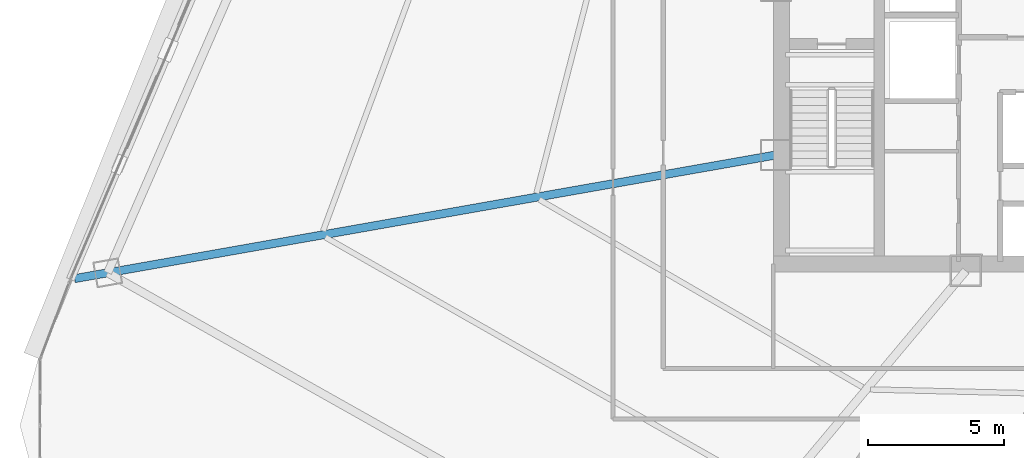
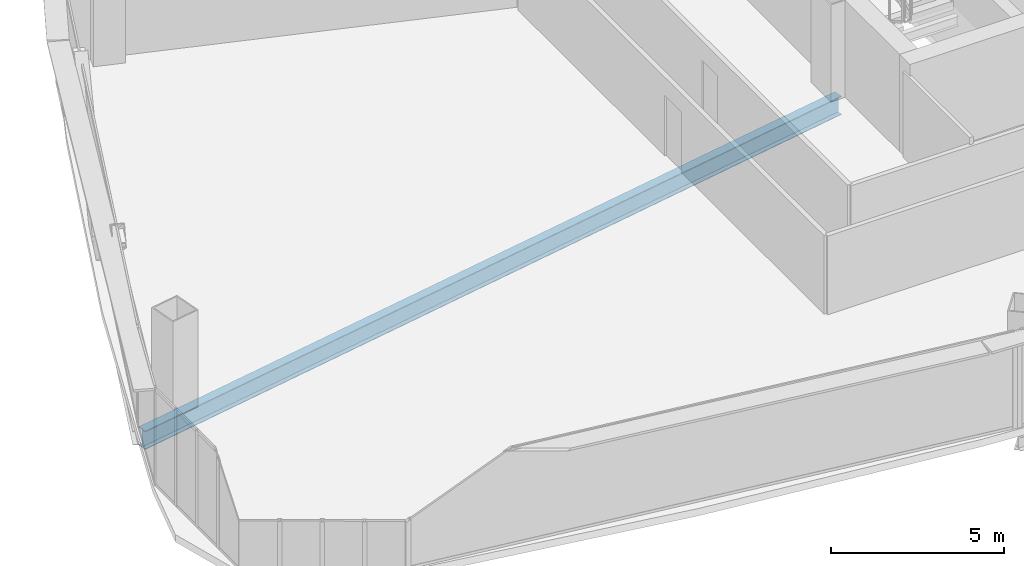
# One storey, part 5 of 42: 1 beam.
"""IFC4 building model written with IfcOpenShell, lengths in metres."""

from ifc_helpers import new_model, si_unit, direction, frame, origin, origin_2d, place, context, subcontext, project, spatial, i_section, extrude, source, transform, mapped, material, material_profile, profile_set, type_object, element, save


model = new_model("IFC4")

# Units and contexts
model_context = context("Model", 3, precision=1e-05, world=origin(), true_north=direction((0.0, 1.0)))
body_context = subcontext(model_context, "Body", "Model", "MODEL_VIEW")
ifc_project = project(units=[si_unit("LENGTHUNIT", "METRE"), si_unit("AREAUNIT", "SQUARE_METRE"), si_unit("VOLUMEUNIT", "CUBIC_METRE"), si_unit("PLANEANGLEUNIT", "RADIAN"), si_unit("MASSUNIT", "GRAM", prefix="KILO"), si_unit("THERMODYNAMICTEMPERATUREUNIT", "KELVIN"), si_unit("POWERUNIT", "WATT")], contexts=[model_context])

# Site, building, storey
site_placement = place(None, origin())
site = spatial("IfcSite", under=ifc_project, at=site_placement, CompositionType="ELEMENT")
building_placement = place(site_placement, origin())
building = spatial("IfcBuilding", under=site, at=building_placement, Name="Yunzhuo Pagoda Commons", CompositionType="ELEMENT")
storey_placement = place(building_placement, frame((0.0, 0.0, 151.909912109375)))
storey = spatial("IfcBuildingStorey", under=building, at=storey_placement, Name="L38", CompositionType="ELEMENT", Elevation=151.909912109375)

# Beam
ifc_material = material(Name="Structural steel Q355B", Category="steel")
ifc_material_profile = material_profile(ifc_material, i_section(OverallWidth=0.300048828125, OverallDepth=0.64990234375, WebThickness=0.012939453125, FlangeThickness=0.02197265625, at=origin_2d()), Name="Structural steel Q355B")
ifc_profile_set = profile_set([ifc_material_profile], Name="Structural steel Q355B")
beam_type = type_object("IfcBeamType", Name="B-RG2 Beam HN 650x300x13x22", PredefinedType="BEAM", material=ifc_profile_set)
shared_shape = source(origin(), body_context, "Body", "SweptSolid", [
    extrude(i_section(OverallWidth=0.300048828125, OverallDepth=0.64990234375, WebThickness=0.012939453125, FlangeThickness=0.02197265625, at=origin_2d()), origin(), (0.0, 0.0, 1.0), 26.2158203125),
])
beam_placement = place(storey_placement, frame((9.782470703125, 26.961181640625, -0.5849609375), z_axis=(0.98480839303, 0.173644547905, 0.0), x_axis=(-0.173644547905, 0.98480839303, 0.0)))
element("IfcBeam", 1, at=beam_placement, inside=storey, type_object=beam_type, Name="L38 radial floor girder F3C4", PredefinedType="BEAM", context=body_context, shape_type="MappedRepresentation", body=[
    mapped(shared_shape, transform((0.0, 0.0, 0.0), scale=1.0)),
])

save(model, "model.ifc")
